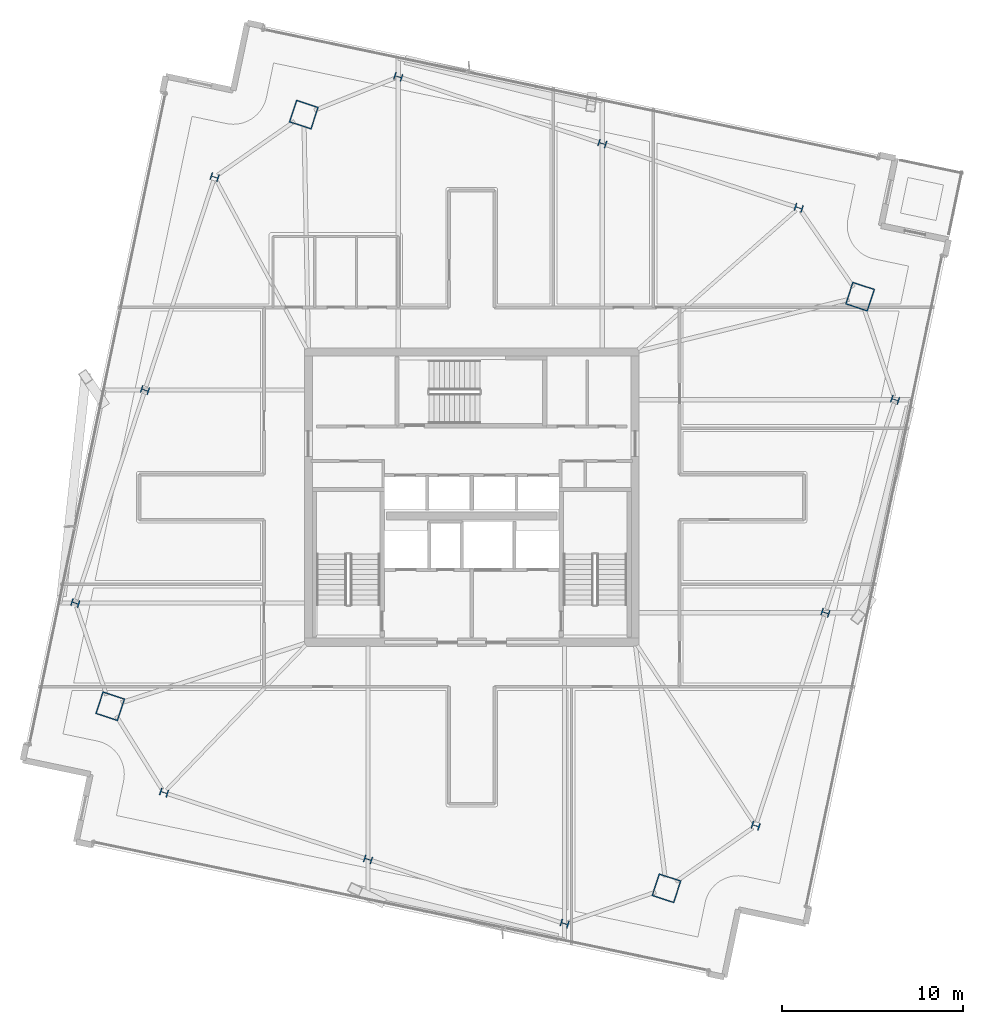
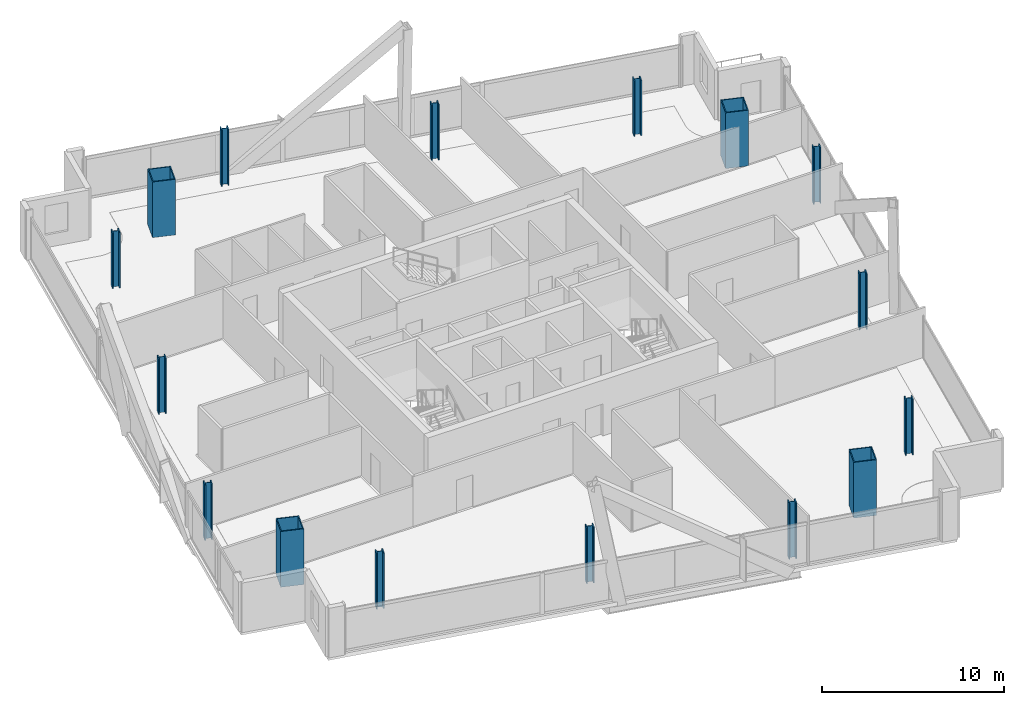
# One storey, part 1 of 24: 16 columns.
"""IFC4 building model written with IfcOpenShell, lengths in metres."""

from ifc_helpers import new_model, si_unit, direction, frame, origin, origin_2d, place, context, subcontext, project, spatial, hollow_rectangle, i_section, extrude, material, material_profile, profile_set, type_object, element, save


model = new_model("IFC4")

# Units and contexts
model_context = context("Model", 3, precision=1e-05, world=origin(), true_north=direction((0.0, 1.0)))
body_context = subcontext(model_context, "Body", "Model", "MODEL_VIEW")
ifc_project = project(units=[si_unit("LENGTHUNIT", "METRE"), si_unit("AREAUNIT", "SQUARE_METRE"), si_unit("VOLUMEUNIT", "CUBIC_METRE"), si_unit("PLANEANGLEUNIT", "RADIAN"), si_unit("MASSUNIT", "GRAM", prefix="KILO")], contexts=[model_context])

# Site, building, storey
site_placement = place(None, origin())
site = spatial("IfcSite", under=ifc_project, at=site_placement, CompositionType="ELEMENT")
building_placement = place(site_placement, origin())
building = spatial("IfcBuilding", under=site, at=building_placement, Name="Haldenkirk Collegiate Tower", CompositionType="ELEMENT")
storey_placement = place(building_placement, frame((0.0, 0.0, 289.949951171875)))
storey = spatial("IfcBuildingStorey", under=building, at=storey_placement, Name="L73", CompositionType="ELEMENT", Elevation=289.949951171875)

# Columns
ifc_material_1 = material(Name="Steel ASTM A913 Grade 65", Category="steel")
ifc_material_profile_1 = material_profile(ifc_material_1, i_section(OverallWidth=0.416015625, OverallDepth=0.445068359375, WebThickness=0.0390625, FlangeThickness=0.062744140625, at=origin_2d()), Name="W14X342")
ifc_profile_set_1 = profile_set([ifc_material_profile_1], Name="Steel ASTM A913 Grade 65")
column_type_1 = type_object("IfcColumnType", Name="COL-INT-W14X342", PredefinedType="COLUMN", material=ifc_profile_set_1)
for number, where, z_axis, x_axis, name in (
    (1, (51.64306640625, 7.888671875, 0.0), (0.0, 0.0, 1.0), (0.311008203279, 0.950407227189, 0.0), "L73 perimeter gravity column PC-S1"),
    (2, (55.4833984375, 19.624267578125, 0.0), (0.0, 0.0, 1.0), (0.311008203279, 0.950407227189, 0.0), "L73 perimeter gravity column PC-S2"),
    (3, (59.32373046875, 31.360107421875, 0.0), (0.0, 0.0, 1.0), (0.311008203279, 0.950407227189, 0.0), "L73 perimeter gravity column PC-S3"),
    (4, (54.01806640625, 41.9365234375, 0.0), (0.0, 0.0, 1.0), (0.311008203279, 0.950407227189, 0.0), "L73 perimeter gravity column PC-E1"),
    (5, (43.18994140625, 45.47998046875, 0.0), (0.0, 0.0, 1.0), (0.311008203279, 0.950407227189, 0.0), "L73 perimeter gravity column PC-E2"),
    (6, (31.949462890625, 49.158203125, 0.0), (0.0, 0.0, 1.0), (0.311008203279, 0.950407227189, 0.0), "L73 perimeter gravity column PC-E3"),
    (7, (21.830078125, 43.629150390625, 0.0), (0.0, 0.0, 1.0), (0.311008203279, 0.950407227189, 0.0), "L73 perimeter gravity column PC-N1"),
    (8, (17.98974609375, 31.8935546875, 0.0), (0.0, 0.0, 1.0), (0.311008203279, 0.950407227189, 0.0), "L73 perimeter gravity column PC-N2"),
    (9, (14.1494140625, 20.157958984375, 0.0), (0.0, 0.0, 1.0), (0.311008203279, 0.950407227189, 0.0), "L73 perimeter gravity column PC-N3"),
    (10, (19.042724609375, 9.71630859375, 0.0), (0.0, 0.0, 1.0), (0.311008203279, 0.950407227189, 0.0), "L73 perimeter gravity column PC-W1"),
    (11, (30.283203125, 6.0380859375, 0.0), (0.0, 0.0, 1.0), (0.311008203279, 0.950407227189, 0.0), "L73 perimeter gravity column PC-W2"),
    (12, (41.111083984375, 2.49462890625, 0.0), (0.0, 0.0, 1.0), (0.311008203279, 0.950407227189, 0.0), "L73 perimeter gravity column PC-W3"),
):
    element("IfcColumn", number, at=place(storey_placement, frame(where, z_axis=z_axis, x_axis=x_axis)), inside=storey, type_object=column_type_1, Name=name, PredefinedType="COLUMN", context=body_context, shape_type="SweptSolid", body=[
        extrude(i_section(OverallWidth=0.416015625, OverallDepth=0.445068359375, WebThickness=0.0390625, FlangeThickness=0.062744140625, at=origin_2d()), origin(), (0.0, 0.0, 1.0), 3.75),
    ])
ifc_material_2 = material(Name="Steel ASTM A572 Grade 50", Category="steel")
ifc_material_profile_2 = material_profile(ifc_material_2, hollow_rectangle(XDim=1.300048828125, YDim=1.300048828125, WallThickness=0.06005859375, at=origin_2d()), Name="BOX1300X1300X60")
ifc_profile_set_2 = profile_set([ifc_material_profile_2], Name="Steel ASTM A572 Grade 50")
column_type_2 = type_object("IfcColumnType", Name="COL-MEGA-BOX1300X1300X60", PredefinedType="COLUMN", material=ifc_profile_set_2)
for number, where, z_axis, x_axis, name in (
    (13, (46.72802734375, 4.444580078125, 0.0), (0.0, 0.0, 1.0), (0.311008203279, 0.950407227189, 0.0), "L73 corner mega-column MC1"),
    (14, (57.395751953125, 37.04345703125, 0.0), (0.0, 0.0, 1.0), (0.311008203279, 0.950407227189, 0.0), "L73 corner mega-column MC2"),
    (15, (26.7451171875, 47.073486328125, 0.0), (0.0, 0.0, 1.0), (0.311008203279, 0.950407227189, 0.0), "L73 corner mega-column MC3"),
    (16, (16.077392578125, 14.474609375, 0.0), (0.0, 0.0, 1.0), (0.311008203279, 0.950407227189, 0.0), "L73 corner mega-column MC4"),
):
    element("IfcColumn", number, at=place(storey_placement, frame(where, z_axis=z_axis, x_axis=x_axis)), inside=storey, type_object=column_type_2, Name=name, PredefinedType="COLUMN", context=body_context, shape_type="SweptSolid", body=[
        extrude(hollow_rectangle(XDim=1.300048828125, YDim=1.300048828125, WallThickness=0.06005859375, at=origin_2d()), origin(), (0.0, 0.0, 1.0), 3.75),
    ])

save(model, "model.ifc")
